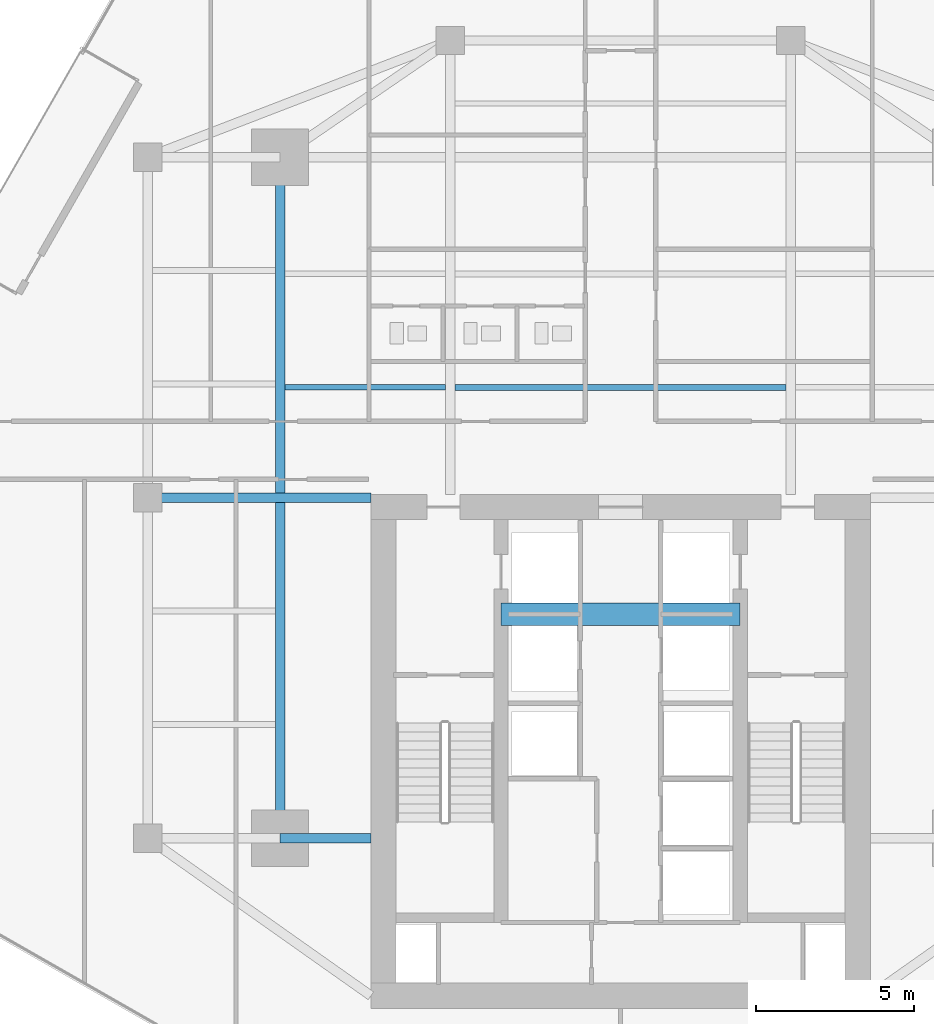
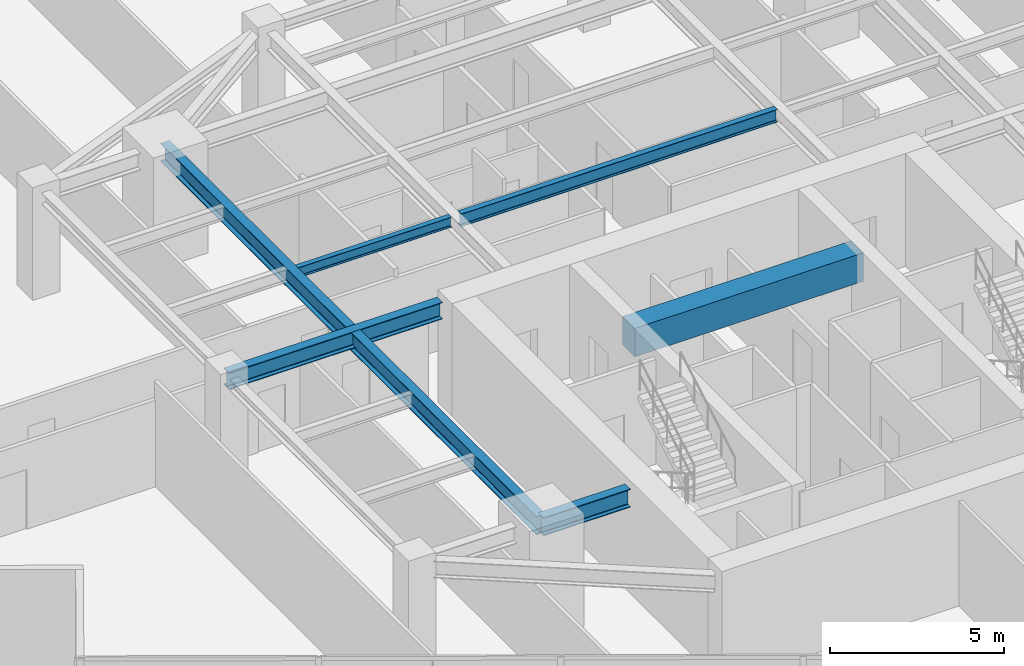
# One storey, part 8 of 24: 6 beams.
"""IFC4 building model written with IfcOpenShell, lengths in metres."""

import ifcopenshell
import ifcopenshell.guid

model = None  # the IFC model being written
_history = None  # IfcOwnerHistory: only IFC2X3 demands one
_inside = {}  # id of a spatial element -> (the spatial element, [elements in it])
_under = {}  # id of a project, library or spatial element -> (it, [spatial elements below it])
_declared = {}  # id of a project -> (the project, [libraries it declares])
_typed = {}  # id of a type object -> (the type object, [elements of that type])
_made_of = {}  # id of a material, layer set ... -> (it, [elements and type objects made of it])


def new_model(schema):
    """Start an empty IFC model of exactly this schema.

    Asked for "IFC4X3", IfcOpenShell would pick the latest addendum, in which some entities
    have other attributes; the version numbers below select the first issue.
    IFC2X3 requires an IfcOwnerHistory on every rooted entity: one is made here for all.
    """
    global model, _history
    if schema == "IFC4X3":
        model = ifcopenshell.file(schema_version=(4, 3, 0, 0))
    else:
        model = ifcopenshell.file(schema=schema)
    _inside.clear()
    _under.clear()
    _declared.clear()
    _typed.clear()
    _made_of.clear()
    _history = None
    if model.schema == "IFC2X3":
        org = make("IfcOrganization", Name="unknown")
        user = make(
            "IfcPersonAndOrganization",
            ThePerson=make("IfcPerson", FamilyName="unknown"),
            TheOrganization=org,
        )
        app = make(
            "IfcApplication",
            ApplicationDeveloper=org,
            Version="unknown",
            ApplicationFullName="unknown",
            ApplicationIdentifier="unknown",
        )
        _history = make(
            "IfcOwnerHistory",
            OwningUser=user,
            OwningApplication=app,
            ChangeAction="ADDED",
            CreationDate=0,
        )
    return model


def make(cls, **values):
    """One entity of the class cls with the attributes given. An attribute that is None is left unset."""
    return model.create_entity(
        cls, **{name: value for name, value in values.items() if value is not None}
    )


def rooted(cls, **values):
    """An entity with a GlobalId (a new one), such as an element, a storey or a relation."""
    return make(cls, GlobalId=ifcopenshell.guid.new(), OwnerHistory=_history, **values)


def si_unit(unit_type, name, prefix=None):
    """IfcSIUnit, for example si_unit("LENGTHUNIT", "METRE", prefix="MILLI")."""
    return make("IfcSIUnit", UnitType=unit_type, Prefix=prefix, Name=name)


def assignment(units):
    """IfcUnitAssignment: the units of a project."""
    return None if units is None else make("IfcUnitAssignment", Units=units)


def point(xyz):
    """IfcCartesianPoint."""
    return None if xyz is None else make("IfcCartesianPoint", Coordinates=xyz)


def direction(xyz):
    """IfcDirection."""
    return None if xyz is None else make("IfcDirection", DirectionRatios=xyz)


def frame(location, z_axis=None, x_axis=None):
    """IfcAxis2Placement3D, a coordinate frame: its origin and axes. An axis left out is left unset."""
    return make(
        "IfcAxis2Placement3D",
        Location=point(location),
        Axis=direction(z_axis),
        RefDirection=direction(x_axis),
    )


def frame_2d(location, x_axis=None):
    """IfcAxis2Placement2D, a coordinate frame in the plane: its origin and x axis."""
    return make(
        "IfcAxis2Placement2D", Location=point(location), RefDirection=direction(x_axis)
    )


def origin():
    """The frame at (0, 0, 0) with its axes left unset."""
    return frame((0.0, 0.0, 0.0))


def origin_2d():
    """The frame at (0, 0) in the plane with its x axis left unset."""
    return frame_2d((0.0, 0.0))


def place(relative_to, where):
    """IfcLocalPlacement: puts the frame where relative to a parent placement (None: the world)."""
    return make(
        "IfcLocalPlacement", PlacementRelTo=relative_to, RelativePlacement=where
    )


def context(
    kind, dimensions, precision=None, world=None, true_north=None, identifier=None
):
    """IfcGeometricRepresentationContext, for example the 3D "Model" context."""
    return make(
        "IfcGeometricRepresentationContext",
        ContextIdentifier=identifier,
        ContextType=kind,
        CoordinateSpaceDimension=dimensions,
        Precision=precision,
        WorldCoordinateSystem=world,
        TrueNorth=true_north,
    )


def subcontext(parent, identifier, kind, view, scale=None):
    """IfcGeometricRepresentationSubContext, for example "Body" below "Model"."""
    return make(
        "IfcGeometricRepresentationSubContext",
        ContextIdentifier=identifier,
        ContextType=kind,
        ParentContext=parent,
        TargetScale=scale,
        TargetView=view,
    )


def project(units=None, contexts=None):
    """IfcProject with its units and contexts."""
    return rooted(
        "IfcProject",
        Name="project",
        RepresentationContexts=contexts,
        UnitsInContext=assignment(units),
    )


def spatial(cls, under=None, at=None, **own):
    """A site, building, storey or space (cls), placed at a placement, below another one or the project."""
    s = rooted(cls, ObjectPlacement=at, **own)
    if under is not None:
        _under.setdefault(under.id(), (under, []))[1].append(s)
    return s


def profile(cls, at=None, kind="AREA", **sizes):
    """A parametric profile (cls). Its sizes go by their IFC names, for example OverallWidth=200.0."""
    return make(cls, ProfileType=kind, Position=at, **sizes)


def rectangle(**sizes):
    """IfcRectangleProfileDef."""
    return profile("IfcRectangleProfileDef", **sizes)


def i_section(**sizes):
    """IfcIShapeProfileDef."""
    return profile("IfcIShapeProfileDef", **sizes)


def extrude(swept, where, along, depth):
    """IfcExtrudedAreaSolid: the profile swept, set in the frame where, extruded along a direction by depth."""
    return make(
        "IfcExtrudedAreaSolid",
        SweptArea=swept,
        Position=where,
        ExtrudedDirection=direction(along),
        Depth=depth,
    )


def shape(context_of_items, identifier, shape_type, items):
    """IfcShapeRepresentation: the items that make up one representation, for example the "Body"."""
    return make(
        "IfcShapeRepresentation",
        ContextOfItems=context_of_items,
        RepresentationIdentifier=identifier,
        RepresentationType=shape_type,
        Items=items,
    )


def source(mapping_origin, context_of_items, identifier, shape_type, items):
    """IfcRepresentationMap: a shape defined once, which mapped items show again and again."""
    return make(
        "IfcRepresentationMap",
        MappingOrigin=mapping_origin,
        MappedRepresentation=shape(context_of_items, identifier, shape_type, items),
    )


def transform(
    local_origin,
    x_axis=None,
    y_axis=None,
    z_axis=None,
    scale=None,
    scale2=None,
    scale3=None,
    uniform=True,
):
    """IfcCartesianTransformationOperator3D, or its non-uniform kind. x_axis, y_axis, z_axis: its Axis1, 2, 3."""
    if uniform:
        return make(
            "IfcCartesianTransformationOperator3D",
            Axis1=direction(x_axis),
            Axis2=direction(y_axis),
            LocalOrigin=point(local_origin),
            Scale=scale,
            Axis3=direction(z_axis),
        )
    return make(
        "IfcCartesianTransformationOperator3DnonUniform",
        Axis1=direction(x_axis),
        Axis2=direction(y_axis),
        LocalOrigin=point(local_origin),
        Scale=scale,
        Axis3=direction(z_axis),
        Scale2=scale2,
        Scale3=scale3,
    )


def mapped(mapping_source, mapping_target):
    """IfcMappedItem: shows the shape of a source again, moved by a transform."""
    return make(
        "IfcMappedItem", MappingSource=mapping_source, MappingTarget=mapping_target
    )


def material(Name=None, Category=None):
    """IfcMaterial."""
    return make("IfcMaterial", Name=Name, Category=Category)


def material_profile(
    of_material, cross_section, Name=None, Category=None, Priority=None
):
    """IfcMaterialProfile: a cross section and its material."""
    return make(
        "IfcMaterialProfile",
        Name=Name,
        Material=of_material,
        Profile=cross_section,
        Priority=Priority,
        Category=Category,
    )


def profile_set(profiles, Name=None, composite=None):
    """IfcMaterialProfileSet."""
    return make(
        "IfcMaterialProfileSet",
        Name=Name,
        MaterialProfiles=profiles,
        CompositeProfile=composite,
    )


def made_of(thing, what):
    """Note that an element or type object is made of a material, layer set ...; save() writes the relation."""
    if what is not None:
        _made_of.setdefault(what.id(), (what, []))[1].append(thing)
    return thing


def type_object(cls, material=None, **own):
    """A type object (cls), such as IfcWallType, which elements share."""
    return made_of(rooted(cls, **own), material)


def type_shapes(of_type, sources):
    """Give a type object the sources (RepresentationMaps) that its elements show as mapped items."""
    of_type.RepresentationMaps = sources


def element(
    cls,
    number,
    at=None,
    inside=None,
    cuts=None,
    type_object=None,
    material=None,
    context=None,
    identifier="Body",
    shape_type=None,
    held_by="IfcProductDefinitionShape",
    body=None,
    shapes=None,
    **own,
):
    """One element of the class cls, such as IfcWall. Its Tag is "e" and its number.

    at: its placement. inside: the storey or other place that contains it. cuts: it is an
    opening in that element (IfcRelVoidsElement). A single representation is given by context,
    identifier, shape_type and body (its items); several are given by shapes. held_by: the class
    of the entity that holds the representations. save() writes the other relations.
    """
    e = rooted(cls, Tag="e%d" % number, ObjectPlacement=at, **own)
    if body is not None:
        shapes = [shape(context, identifier, shape_type, body)]
    if shapes is not None:
        e.Representation = make(held_by, Representations=shapes)
    if inside is not None:
        _inside.setdefault(inside.id(), (inside, []))[1].append(e)
    if cuts is not None:
        rooted(
            "IfcRelVoidsElement", RelatingBuildingElement=cuts, RelatedOpeningElement=e
        )
    if type_object is not None:
        _typed.setdefault(type_object.id(), (type_object, []))[1].append(e)
    return made_of(e, material)


def aggregate(whole, parts):
    """IfcRelAggregates: a whole, such as a stair, and the parts it consists of."""
    return rooted("IfcRelAggregates", RelatingObject=whole, RelatedObjects=parts)


def save(model, path):
    """Write the relations noted so far, then the file.

    IfcRelAggregates (storeys below a building ...), IfcRelContainedInSpatialStructure (elements
    in a storey), IfcRelDefinesByType, IfcRelAssociatesMaterial and IfcRelDeclares: one each for
    every whole, place, type object, material and project.
    """
    for whole, parts in _under.values():
        aggregate(whole, parts)
    for where, things in _inside.values():
        rooted(
            "IfcRelContainedInSpatialStructure",
            RelatedElements=things,
            RelatingStructure=where,
        )
    for kind, things in _typed.values():
        rooted("IfcRelDefinesByType", RelatedObjects=things, RelatingType=kind)
    for what, things in _made_of.values():
        rooted("IfcRelAssociatesMaterial", RelatedObjects=things, RelatingMaterial=what)
    for by, libraries in _declared.values():
        rooted("IfcRelDeclares", RelatingContext=by, RelatedDefinitions=libraries)
    model.write(path)


model = new_model("IFC4")

# Units and contexts
model_context = context("Model", 3, precision=1e-05, world=origin(), true_north=direction((0.0, 1.0)))
body_context = subcontext(model_context, "Body", "Model", "MODEL_VIEW")
ifc_project = project(units=[si_unit("LENGTHUNIT", "METRE"), si_unit("AREAUNIT", "SQUARE_METRE"), si_unit("VOLUMEUNIT", "CUBIC_METRE"), si_unit("PLANEANGLEUNIT", "RADIAN"), si_unit("MASSUNIT", "GRAM", prefix="KILO")], contexts=[model_context])

# Site, building, storey
site_placement = place(None, origin())
site = spatial("IfcSite", under=ifc_project, at=site_placement, CompositionType="ELEMENT")
building_placement = place(site_placement, origin())
building = spatial("IfcBuilding", under=site, at=building_placement, Name="Krantzveldt Concourse Tower", CompositionType="ELEMENT")
storey_placement = place(building_placement, frame((0.0, 0.0, 165.949951171875)))
storey = spatial("IfcBuildingStorey", under=building, at=storey_placement, Name="L40", CompositionType="ELEMENT", Elevation=165.949951171875)

# Beams
ifc_material_1 = material(Name="Steel S355JR", Category="steel")
ifc_material_profile_1 = material_profile(ifc_material_1, i_section(OverallWidth=0.300048828125, OverallDepth=0.639892578125, WebThickness=0.013427734375, FlangeThickness=0.02587890625, FilletRadius=0.027099609375, at=origin_2d()), Name="Steel S355JR", Category="steel")
ifc_profile_set_1 = profile_set([ifc_material_profile_1], Name="Steel S355JR - HEA 650")
beam_type_1 = type_object("IfcBeamType", Name="BM-B-HEA650", PredefinedType="BEAM", material=ifc_profile_set_1)
shared_shape_1 = source(origin(), body_context, "Body", "SweptSolid", [
    extrude(i_section(OverallWidth=0.300048828125, OverallDepth=0.639892578125, WebThickness=0.013427734375, FlangeThickness=0.02587890625, FilletRadius=0.027099609375, at=origin_2d()), origin(), (0.0, 0.0, 1.0), 21.60009765625),
])
beam_1_placement = place(storey_placement, frame((25.199951171875, 15.89990234375, 3.35009765625), z_axis=(0.0, 1.0, 0.0), x_axis=(-1.0, 0.0, 0.0)))
element("IfcBeam", 1, at=beam_1_placement, inside=storey, type_object=beam_type_1, Name="L40 Tower Girder BG-MW", PredefinedType="BEAM", context=body_context, shape_type="MappedRepresentation", body=[
    mapped(shared_shape_1, transform((0.0, 0.0, 0.0), x_axis=(1.0, 0.0, 0.0), y_axis=(0.0, 1.0, 0.0), z_axis=(0.0, 0.0, 1.0), scale=1.0)),
])
ifc_material_profile_2 = material_profile(ifc_material_1, i_section(OverallWidth=0.300048828125, OverallDepth=0.590087890625, WebThickness=0.012939453125, FlangeThickness=0.02490234375, FilletRadius=0.027099609375, at=origin_2d()), Name="Steel S355JR", Category="steel")
ifc_profile_set_2 = profile_set([ifc_material_profile_2], Name="Steel S355JR - HEA 600")
beam_type_2 = type_object("IfcBeamType", Name="BM-B-HEA600", PredefinedType="BEAM", material=ifc_profile_set_2)
shared_shape_2 = source(origin(), body_context, "Body", "SweptSolid", [
    extrude(i_section(OverallWidth=0.300048828125, OverallDepth=0.590087890625, WebThickness=0.012939453125, FlangeThickness=0.02490234375, FilletRadius=0.027099609375, at=origin_2d()), origin(), (0.0, 0.0, 1.0), 7.080078125),
])
type_shapes(beam_type_2, [shared_shape_2])
beam_2_placement = place(storey_placement, frame((21.0, 26.699951171875, 3.375), z_axis=(1.0, 0.0, 0.0), x_axis=(0.0, 1.0, 0.0)))
element("IfcBeam", 2, at=beam_2_placement, inside=storey, type_object=beam_type_2, Name="L40 Tower Girder BG-CW2", PredefinedType="BEAM", context=body_context, shape_type="MappedRepresentation", body=[
    mapped(shared_shape_2, transform((0.0, 0.0, 0.0), x_axis=(1.0, 0.0, 0.0), y_axis=(0.0, 1.0, 0.0), z_axis=(0.0, 0.0, 1.0), scale=1.0)),
])
ifc_material_profile_3 = material_profile(ifc_material_1, i_section(OverallWidth=0.18994140625, OverallDepth=0.449951171875, WebThickness=0.009521484375, FlangeThickness=0.0146484375, FilletRadius=0.02099609375, at=origin_2d()), Name="Steel S355JR", Category="steel")
ifc_profile_set_3 = profile_set([ifc_material_profile_3], Name="Steel S355JR - IPE 450")
beam_type_3 = type_object("IfcBeamType", Name="BM-J-IPE450", PredefinedType="JOIST", material=ifc_profile_set_3)
shared_shape_3 = source(origin(), body_context, "Body", "SweptSolid", [
    extrude(i_section(OverallWidth=0.18994140625, OverallDepth=0.449951171875, WebThickness=0.009521484375, FlangeThickness=0.0146484375, FilletRadius=0.02099609375, at=origin_2d()), origin(), (0.0, 0.0, 1.0), 10.5),
])
type_shapes(beam_type_3, [shared_shape_3])
beam_3_placement = place(storey_placement, frame((30.75, 30.199951171875, 3.445068359375), z_axis=(1.0, 0.0, 0.0), x_axis=(0.0, 1.0, 0.0)))
element("IfcBeam", 3, at=beam_3_placement, inside=storey, type_object=beam_type_3, Name="L40 Secondary Floor Joist JN-C1", PredefinedType="JOIST", context=body_context, shape_type="MappedRepresentation", body=[
    mapped(shared_shape_3, transform((0.0, 0.0, 0.0), x_axis=(1.0, 0.0, 0.0), y_axis=(0.0, 1.0, 0.0), z_axis=(0.0, 0.0, 1.0), scale=1.0)),
])
ifc_material_2 = material(Name="Concrete C50/60", Category="concrete")
ifc_material_profile_4 = material_profile(ifc_material_2, rectangle(XDim=0.699951171875, YDim=1.0, at=origin_2d()), Name="Concrete C50/60", Category="concrete")
ifc_profile_set_4 = profile_set([ifc_material_profile_4], Name="Concrete C50/60 - RC-CB 700x1000")
beam_type_4 = type_object("IfcBeamType", Name="BM-CB-1000", PredefinedType="LINTEL", material=ifc_profile_set_4)
shared_shape_4 = source(origin(), body_context, "Body", "SweptSolid", [
    extrude(rectangle(XDim=0.699951171875, YDim=1.0, at=origin_2d()), origin(), (0.0, 0.0, 1.0), 7.580078125),
])
type_shapes(beam_type_4, [shared_shape_4])
beam_4_placement = place(storey_placement, frame((32.2099609375, 23.0, 3.170166015625), z_axis=(1.0, 0.0, 0.0), x_axis=(0.0, 1.0, 0.0)))
element("IfcBeam", 4, at=beam_4_placement, inside=storey, type_object=beam_type_4, Name="CB-L40-01", PredefinedType="LINTEL", context=body_context, shape_type="MappedRepresentation", body=[
    mapped(shared_shape_4, transform((0.0, 0.0, 0.0), x_axis=(1.0, 0.0, 0.0), y_axis=(0.0, 1.0, 0.0), z_axis=(0.0, 0.0, 1.0), scale=1.0)),
])
shared_shape_5 = source(origin(), body_context, "Body", "SweptSolid", [
    extrude(i_section(OverallWidth=0.300048828125, OverallDepth=0.639892578125, WebThickness=0.013427734375, FlangeThickness=0.02587890625, FilletRadius=0.027099609375, at=origin_2d()), origin(), (0.0, 0.0, 1.0), 2.880126953125),
])
type_shapes(beam_type_1, [shared_shape_1, shared_shape_5])
beam_5_placement = place(storey_placement, frame((25.199951171875, 15.89990234375, 3.35009765625), z_axis=(1.0, 0.0, 0.0), x_axis=(0.0, 1.0, 0.0)))
element("IfcBeam", 5, at=beam_5_placement, inside=storey, type_object=beam_type_1, Name="L40 Tower Girder BG-CW1", PredefinedType="BEAM", context=body_context, shape_type="MappedRepresentation", body=[
    mapped(shared_shape_5, transform((0.0, 0.0, 0.0), x_axis=(1.0, 0.0, 0.0), y_axis=(0.0, 1.0, 0.0), z_axis=(0.0, 0.0, 1.0), scale=1.0)),
])
ifc_material_profile_5 = material_profile(ifc_material_1, i_section(OverallWidth=0.169921875, OverallDepth=0.360107421875, WebThickness=0.008056640625, FlangeThickness=0.0126953125, FilletRadius=0.01806640625, at=origin_2d()), Name="Steel S355JR", Category="steel")
ifc_profile_set_5 = profile_set([ifc_material_profile_5], Name="Steel S355JR - IPE 360")
beam_type_5 = type_object("IfcBeamType", Name="BM-J-IPE360", PredefinedType="JOIST", material=ifc_profile_set_5)
shared_shape_6 = source(origin(), body_context, "Body", "SweptSolid", [
    extrude(i_section(OverallWidth=0.169921875, OverallDepth=0.360107421875, WebThickness=0.008056640625, FlangeThickness=0.0126953125, FilletRadius=0.01806640625, at=origin_2d()), origin(), (0.0, 0.0, 1.0), 5.099853515625),
])
type_shapes(beam_type_5, [shared_shape_6])
beam_6_placement = place(storey_placement, frame((25.35009765625, 30.199951171875, 3.489990234375), z_axis=(1.0, 0.0, 0.0), x_axis=(0.0, 1.0, 0.0)))
element("IfcBeam", 6, at=beam_6_placement, inside=storey, type_object=beam_type_5, Name="L40 Secondary Floor Joist JN-W1", PredefinedType="JOIST", context=body_context, shape_type="MappedRepresentation", body=[
    mapped(shared_shape_6, transform((0.0, 0.0, 0.0), x_axis=(1.0, 0.0, 0.0), y_axis=(0.0, 1.0, 0.0), z_axis=(0.0, 0.0, 1.0), scale=1.0)),
])

save(model, "model.ifc")
